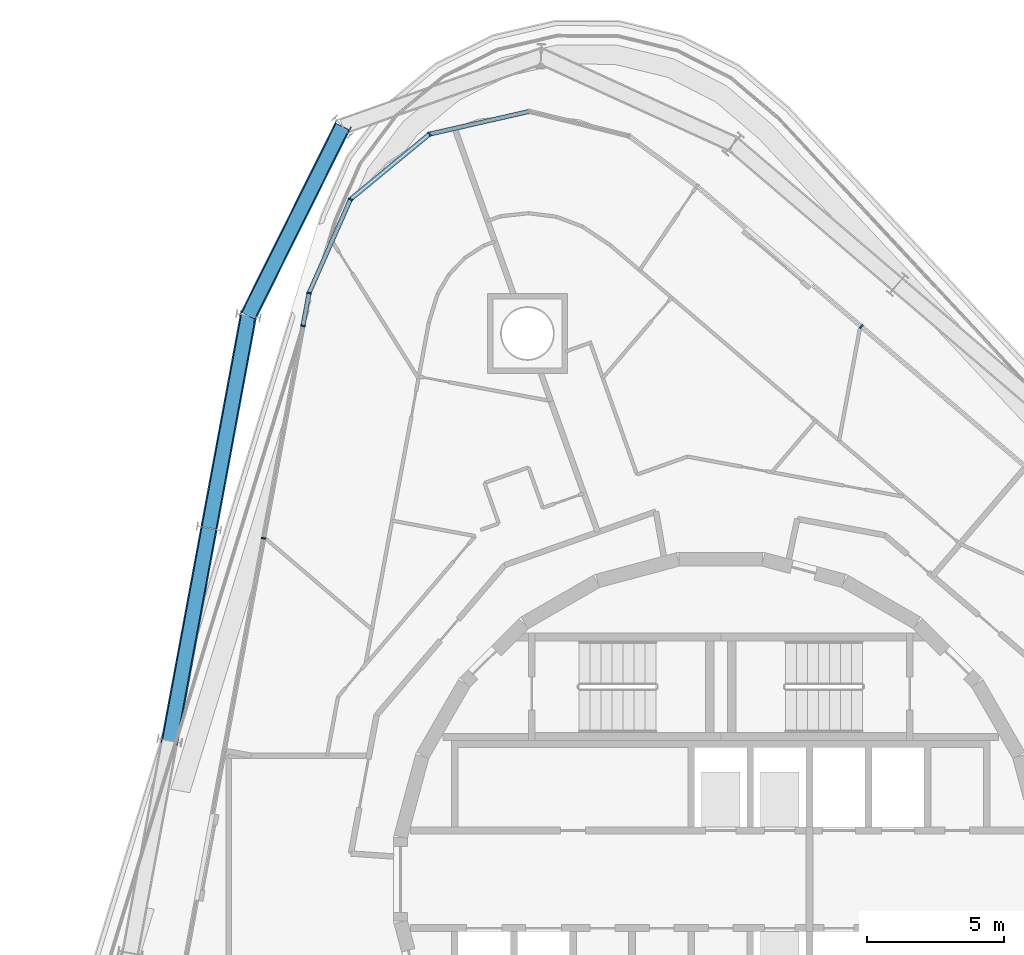
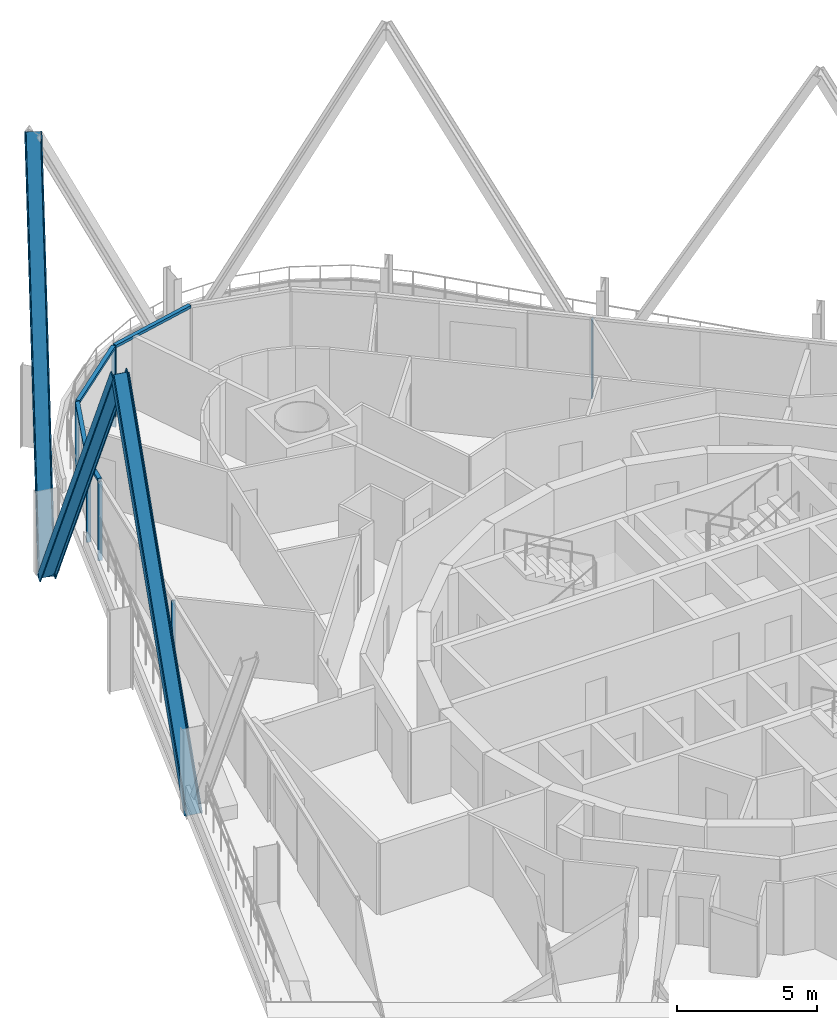
# One storey, part 6 of 25: 13 members, 3 elements without a shape of their own.
"""IFC4 building model written with IfcOpenShell, lengths in metres."""

from ifc_helpers import new_model, si_unit, direction, frame, origin, origin_2d, place, context, subcontext, project, spatial, rectangle, i_section, extrude, material, layer, layer_set, material_profile, profile_set, type_object, element, aggregate, save


model = new_model("IFC4")

# Units and contexts
model_context = context("Model", 3, precision=1e-05, world=origin(), true_north=direction((0.0, 1.0)))
body_context = subcontext(model_context, "Body", "Model", "MODEL_VIEW")
ifc_project = project(units=[si_unit("LENGTHUNIT", "METRE"), si_unit("AREAUNIT", "SQUARE_METRE"), si_unit("VOLUMEUNIT", "CUBIC_METRE"), si_unit("PLANEANGLEUNIT", "RADIAN"), si_unit("MASSUNIT", "GRAM", prefix="KILO")], contexts=[model_context])

# Site, building, storey
site_placement = place(None, origin())
site = spatial("IfcSite", under=ifc_project, at=site_placement, CompositionType="ELEMENT")
building_placement = place(site_placement, origin())
building = spatial("IfcBuilding", under=site, at=building_placement, Name="Spindle Arch Residences", CompositionType="ELEMENT")
storey_placement = place(building_placement, frame((0.0, 0.0, 151.699951171875)))
storey = spatial("IfcBuildingStorey", under=building, at=storey_placement, Name="L37", CompositionType="ELEMENT", Elevation=151.699951171875)

# Curtain wall, member
ifc_material_1 = material(Name="Aluminium bronze unitised frame with tinted glass", Category="aluminium")
ifc_layer_1 = layer(ifc_material_1, 0.159912109375)
ifc_layer_set_1 = layer_set([ifc_layer_1], Name="CW-C typical residential unitised wall")
curtain_wall_type_1 = type_object("IfcCurtainWallType", Name="CW-C typical residential unitised wall", PredefinedType="NOTDEFINED", material=ifc_layer_set_1)
curtain_wall_1_placement = place(storey_placement, origin())
curtain_wall_1 = element("IfcCurtainWall", 1, at=curtain_wall_1_placement, inside=storey, type_object=curtain_wall_type_1, Name="CW-C L37 run 2", PredefinedType="NOTDEFINED")
ifc_material_2 = material(Name="Aluminium bronze anodised mullion", Category="aluminium")
ifc_material_profile_1 = material_profile(ifc_material_2, rectangle(XDim=0.159912109375, YDim=0.06005859375, at=origin_2d()), Name="MU 60x160")
ifc_profile_set_1 = profile_set([ifc_material_profile_1], Name="Aluminium bronze anodised mullion")
member_type_1 = type_object("IfcMemberType", Name="Bronze mullion 60x160", PredefinedType="MULLION", material=ifc_profile_set_1)
member_1_placement = place(storey_placement, frame((5.115234375, 20.10888671875, -0.449951171875), z_axis=(0.0, 0.0, 1.0), x_axis=(-0.64944804833, -0.7604059656, 0.0)))
member_1 = element("IfcMember", 2, at=member_1_placement, type_object=member_type_1, Name="CW-C mullion 08", PredefinedType="MULLION", context=body_context, shape_type="SweptSolid", body=[
    extrude(rectangle(XDim=0.159912109375, YDim=0.06005859375, at=origin_2d()), origin(), (0.0, 0.0, 1.0), 3.449951171875),
])
aggregate(curtain_wall_1, [member_1])

# Curtain wall, members
ifc_material_3 = material(Name="Aluminium bronze unitised frame with tinted glass", Category="aluminium")
ifc_layer_2 = layer(ifc_material_3, 0.159912109375)
ifc_layer_set_2 = layer_set([ifc_layer_2], Name="CW-D corner wall on the fillet arcs")
curtain_wall_type_2 = type_object("IfcCurtainWallType", Name="CW-D corner wall on the fillet arcs", PredefinedType="NOTDEFINED", material=ifc_layer_set_2)
curtain_wall_2_placement = place(storey_placement, origin())
curtain_wall_2 = element("IfcCurtainWall", 3, at=curtain_wall_2_placement, inside=storey, type_object=curtain_wall_type_2, Name="CW-D L37 run 3", PredefinedType="NOTDEFINED")
member_2_placement = place(storey_placement, frame((-10.594970703125, 27.109619140625, -0.449951171875), z_axis=(0.0, 0.0, 1.0), x_axis=(0.636078220709, -0.771624583032, 0.0)))
member_2 = element("IfcMember", 4, at=member_2_placement, type_object=member_type_1, Name="CW-D mullion 03", PredefinedType="MULLION", context=body_context, shape_type="SweptSolid", body=[
    extrude(rectangle(XDim=0.159912109375, YDim=0.06005859375, at=origin_2d()), origin(), (0.0, 0.0, 1.0), 3.449951171875),
])
member_3_placement = place(storey_placement, frame((-13.470703125, 24.739013671875, -0.449951171875), z_axis=(0.0, 0.0, 1.0), x_axis=(0.914724741271, -0.404077526853, 0.0)))
member_3 = element("IfcMember", 5, at=member_3_placement, type_object=member_type_1, Name="CW-D mullion 04", PredefinedType="MULLION", context=body_context, shape_type="SweptSolid", body=[
    extrude(rectangle(XDim=0.159912109375, YDim=0.06005859375, at=origin_2d()), origin(), (0.0, 0.0, 1.0), 3.449951171875),
])
member_4_placement = place(storey_placement, frame((-14.9765625, 21.330078125, -0.449951171875), z_axis=(0.0, 0.0, 1.0), x_axis=(0.983254907564, -0.182235525492, 0.0)))
member_4 = element("IfcMember", 6, at=member_4_placement, type_object=member_type_1, Name="CW-D mullion 05", PredefinedType="MULLION", context=body_context, shape_type="SweptSolid", body=[
    extrude(rectangle(XDim=0.159912109375, YDim=0.06005859375, at=origin_2d()), origin(), (0.0, 0.0, 1.0), 3.449951171875),
])

curtain_wall_3_placement = place(storey_placement, origin())
curtain_wall_3 = element("IfcCurtainWall", 7, at=curtain_wall_3_placement, inside=storey, type_object=curtain_wall_type_1, Name="CW-C L37 run 4", PredefinedType="NOTDEFINED")
member_5_placement = place(storey_placement, frame((-15.19775390625, 20.136962890625, -0.449951171875), z_axis=(0.0, 0.0, 1.0), x_axis=(0.983254907564, -0.182235525492, 0.0)))
member_5 = element("IfcMember", 8, at=member_5_placement, type_object=member_type_1, Name="CW-C mullion 12", PredefinedType="MULLION", context=body_context, shape_type="SweptSolid", body=[
    extrude(rectangle(XDim=0.159912109375, YDim=0.06005859375, at=origin_2d()), origin(), (0.0, 0.0, 1.0), 3.449951171875),
])
member_6_placement = place(storey_placement, frame((-16.630126953125, 12.408447265625, -0.449951171875), z_axis=(0.0, 0.0, 1.0), x_axis=(0.983254907564, -0.182235525492, 0.0)))
member_6 = element("IfcMember", 9, at=member_6_placement, type_object=member_type_1, Name="CW-C mullion 13", PredefinedType="MULLION", context=body_context, shape_type="SweptSolid", body=[
    extrude(rectangle(XDim=0.159912109375, YDim=0.06005859375, at=origin_2d()), origin(), (0.0, 0.0, 1.0), 3.449951171875),
])
aggregate(curtain_wall_3, [member_5, member_6])

# Member
ifc_material_4 = material(Name="Aluminium bronze anodised transom", Category="aluminium")
ifc_material_profile_2 = material_profile(ifc_material_4, rectangle(XDim=0.159912109375, YDim=0.1201171875, at=origin_2d()), Name="TR 120x160")
ifc_profile_set_2 = profile_set([ifc_material_profile_2], Name="Aluminium bronze anodised transom")
member_type_2 = type_object("IfcMemberType", Name="Bronze transom 120x160", PredefinedType="USERDEFINED", material=ifc_profile_set_2)
member_7_placement = place(storey_placement, frame((-6.99072265625, 27.9306640625, 3.06005859375), z_axis=(-0.975020234813, -0.222116054585, 0.0), x_axis=(0.222116054585, -0.975020234813, 0.0)))
member_7 = element("IfcMember", 10, at=member_7_placement, type_object=member_type_2, Name="CW-D transom 02", ObjectType="TRANSOM", PredefinedType="USERDEFINED", context=body_context, shape_type="SweptSolid", body=[
    extrude(rectangle(XDim=0.159912109375, YDim=0.1201171875, at=origin_2d()), origin(), (0.0, 0.0, 1.0), 3.666748046875),
])

member_8_placement = place(storey_placement, frame((-10.6181640625, 27.09033203125, 3.06005859375), z_axis=(-0.771632242696, -0.63606892868, 0.0), x_axis=(0.63606892868, -0.771632242696, 0.0)))
member_8 = element("IfcMember", 11, at=member_8_placement, type_object=member_type_2, Name="CW-D transom 03", ObjectType="TRANSOM", PredefinedType="USERDEFINED", context=body_context, shape_type="SweptSolid", body=[
    extrude(rectangle(XDim=0.159912109375, YDim=0.1201171875, at=origin_2d()), origin(), (0.0, 0.0, 1.0), 3.666748046875),
])

member_9_placement = place(storey_placement, frame((-13.48291015625, 24.711669921875, 3.06005859375), z_axis=(-0.404067984384, -0.914728956575, 0.0), x_axis=(0.914728956575, -0.404067984384, 0.0)))
member_9 = element("IfcMember", 12, at=member_9_placement, type_object=member_type_2, Name="CW-D transom 04", ObjectType="TRANSOM", PredefinedType="USERDEFINED", context=body_context, shape_type="SweptSolid", body=[
    extrude(rectangle(XDim=0.159912109375, YDim=0.1201171875, at=origin_2d()), origin(), (0.0, 0.0, 1.0), 3.6669921875),
])

member_10_placement = place(storey_placement, frame((-14.982177734375, 21.300537109375, 3.06005859375), z_axis=(-0.182256018308, -0.983251109224, 0.0), x_axis=(0.983251109224, -0.182256018308, 0.0)))
member_10 = element("IfcMember", 13, at=member_10_placement, type_object=member_type_2, Name="CW-D transom 05", ObjectType="TRANSOM", PredefinedType="USERDEFINED", context=body_context, shape_type="SweptSolid", body=[
    extrude(rectangle(XDim=0.159912109375, YDim=0.1201171875, at=origin_2d()), origin(), (0.0, 0.0, 1.0), 1.1533203125),
])

aggregate(curtain_wall_2, [member_7, member_2, member_8, member_3, member_9, member_4, member_10])

# Members
ifc_material_5 = material(Name="Steel S460ML, intumescent coating R 240", Category="steel")
ifc_material_profile_3 = material_profile(ifc_material_5, i_section(OverallWidth=0.304931640625, OverallDepth=0.6201171875, WebThickness=0.02099609375, FlangeThickness=0.0400390625, FilletRadius=0.027099609375, at=origin_2d()), Name="HEM 600")
ifc_profile_set_3 = profile_set([ifc_material_profile_3], Name="Steel S460ML, intumescent coating R 240")
member_type_3 = type_object("IfcMemberType", Name="Diagrid diagonal HEM 600", PredefinedType="BRACE", material=ifc_profile_set_3)
member_11_placement = place(storey_placement, frame((-17.183837890625, 20.505126953125, -0.699951171875), z_axis=(0.21336040396, 0.429279122663, 0.877608553324), x_axis=(-0.390603931868, -0.785891430973, 0.479377958538)))
element("IfcMember", 14, at=member_11_placement, inside=storey, type_object=member_type_3, Name="Diagrid diagonal 4.1.12", PredefinedType="BRACE", context=body_context, shape_type="SweptSolid", body=[
    extrude(i_section(OverallWidth=0.304931640625, OverallDepth=0.6201171875, WebThickness=0.02099609375, FlangeThickness=0.0400390625, FilletRadius=0.027099609375, at=origin_2d()), origin(), (0.0, 0.0, 1.0), 16.0322265625),
])
for number, where, z_axis, x_axis, name in (
    (15, (-17.183837890625, 20.505126953125, -0.699951171875), (-0.088875005628, -0.47953420456, 0.873010985058), (0.159091182634, 0.85839278634, 0.487700543334), "Diagrid diagonal 4.1.13"),
    (16, (-20.048583984375, 5.048095703125, -0.699951171875), (0.088875005628, 0.47953420456, 0.873010985058), (-0.159091182634, -0.85839278634, 0.487700543334), "Diagrid diagonal 4.1.14"),
):
    element("IfcMember", number, at=place(storey_placement, frame(where, z_axis=z_axis, x_axis=x_axis)), inside=storey, type_object=member_type_3, Name=name, PredefinedType="BRACE", context=body_context, shape_type="SweptSolid", body=[
        extrude(i_section(OverallWidth=0.304931640625, OverallDepth=0.6201171875, WebThickness=0.02099609375, FlangeThickness=0.0400390625, FilletRadius=0.027099609375, at=origin_2d()), origin(), (0.0, 0.0, 1.0), 16.11669921875),
    ])

save(model, "model.ifc")
